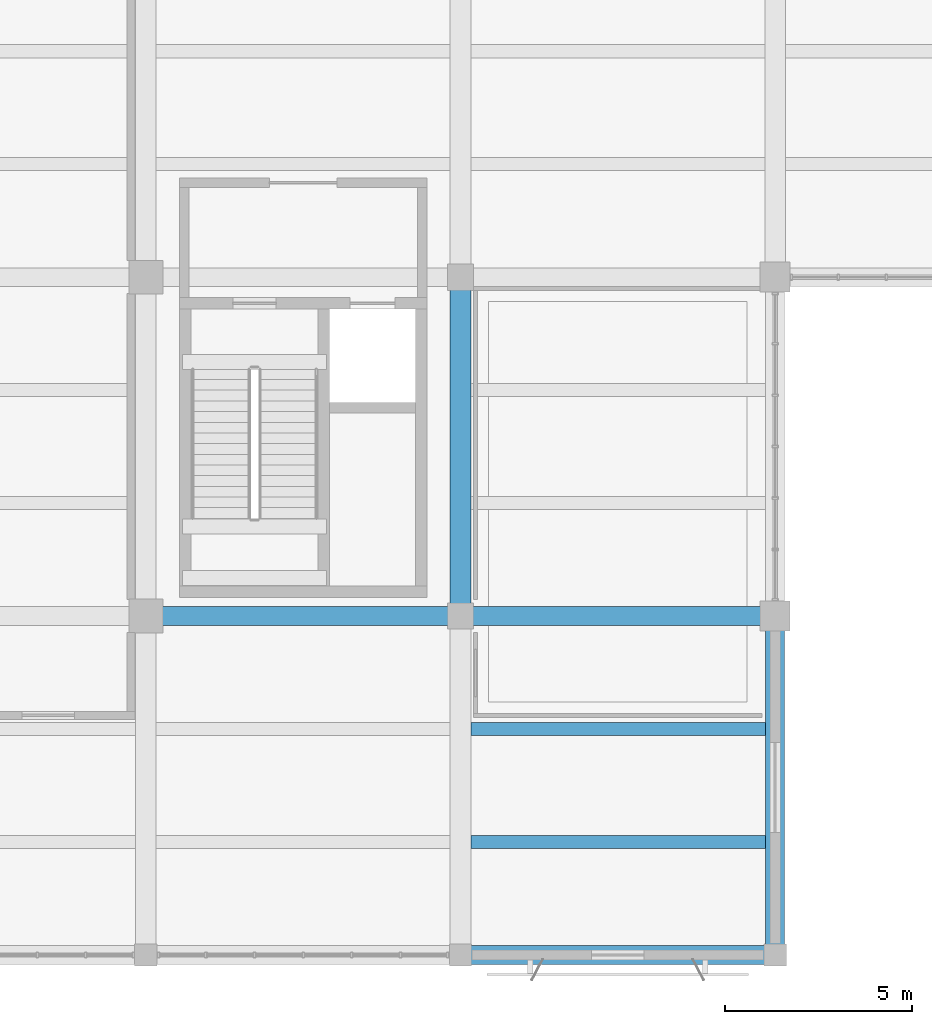
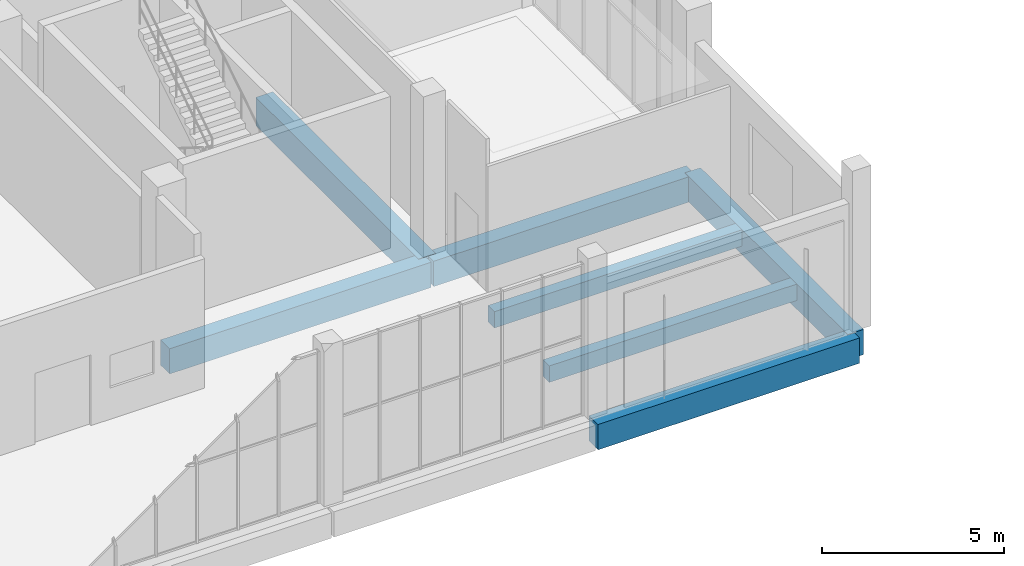
# One storey, part 33 of 132: 7 beams.
"""IFC4 building model written with IfcOpenShell, lengths in metres."""

from ifc_helpers import new_model, si_unit, direction, frame, origin, origin_2d, place, context, subcontext, project, spatial, rectangle, extrude, material, material_profile, profile_set, type_object, element, save


model = new_model("IFC4")

# Units and contexts
model_context = context("Model", 3, precision=1e-05, world=origin(), true_north=direction((0.0, 1.0)))
body_context = subcontext(model_context, "Body", "Model", "MODEL_VIEW")
ifc_project = project(units=[si_unit("LENGTHUNIT", "METRE"), si_unit("AREAUNIT", "SQUARE_METRE"), si_unit("VOLUMEUNIT", "CUBIC_METRE"), si_unit("PLANEANGLEUNIT", "RADIAN"), si_unit("MASSUNIT", "GRAM", prefix="KILO")], contexts=[model_context])

# Site, building, storey
site_placement = place(None, origin())
site = spatial("IfcSite", under=ifc_project, at=site_placement, CompositionType="ELEMENT")
building_placement = place(site_placement, origin())
building = spatial("IfcBuilding", under=site, at=building_placement, Name="Khurvash Pelagic Aquarium", CompositionType="ELEMENT")
storey_placement = place(building_placement, frame((0.0, 0.0, 5.39990234375)))
storey = spatial("IfcBuildingStorey", under=building, at=storey_placement, Name="L01", CompositionType="ELEMENT", Elevation=5.39990234375)

# Beams
ifc_material_1 = material(Name="Concrete C40/50", Category="concrete")
ifc_material_profile_1 = material_profile(ifc_material_1, rectangle(XDim=0.550048828125, YDim=0.949951171875, at=origin_2d()), Name="RC550X950")
ifc_profile_set_1 = profile_set([ifc_material_profile_1], Name="Concrete C40/50")
beam_type_1 = type_object("IfcBeamType", Name="BM-02", PredefinedType="BEAM", material=ifc_profile_set_1)
beam_1_placement = place(storey_placement, frame((100.800048828125, 11.68994140625, -0.784912109375), z_axis=(0.0, 1.0, 0.0), x_axis=(-1.0, 0.0, 0.0)))
element("IfcBeam", 1, at=beam_1_placement, inside=storey, type_object=beam_type_1, Name="L01 Primary Girder BM-02 00413", PredefinedType="BEAM", context=body_context, shape_type="SweptSolid", body=[
    extrude(rectangle(XDim=0.550048828125, YDim=0.949951171875, at=origin_2d()), origin(), (0.0, 0.0, 1.0), 8.969970703125),
])
ifc_material_profile_2 = material_profile(ifc_material_1, rectangle(XDim=0.5, YDim=0.85009765625, at=origin_2d()), Name="RC500X850")
ifc_profile_set_2 = profile_set([ifc_material_profile_2], Name="Concrete C40/50")
beam_type_2 = type_object("IfcBeamType", Name="BM-03", PredefinedType="BEAM", material=ifc_profile_set_2)
beam_2_placement = place(storey_placement, frame((92.43994140625, 11.64990234375, -0.744873046875), z_axis=(1.0, 0.0, 0.0), x_axis=(0.0, 1.0, 0.0)))
element("IfcBeam", 2, at=beam_2_placement, inside=storey, type_object=beam_type_2, Name="L01 Primary Girder BM-03 00259", PredefinedType="BEAM", context=body_context, shape_type="SweptSolid", body=[
    extrude(rectangle(XDim=0.5, YDim=0.85009765625, at=origin_2d()), origin(), (0.0, 0.0, 1.0), 8.320068359375),
])
beam_3_placement = place(storey_placement, frame((100.840087890625, 11.64990234375, -0.744873046875), z_axis=(1.0, 0.0, 0.0), x_axis=(0.0, 1.0, 0.0)))
element("IfcBeam", 3, at=beam_3_placement, inside=storey, type_object=beam_type_2, Name="L01 Primary Girder BM-03 00260", PredefinedType="BEAM", context=body_context, shape_type="SweptSolid", body=[
    extrude(rectangle(XDim=0.5, YDim=0.85009765625, at=origin_2d()), origin(), (0.0, 0.0, 1.0), 8.31982421875),
])
ifc_material_2 = material(Name="Concrete C35/45", Category="concrete")
ifc_material_profile_3 = material_profile(ifc_material_2, rectangle(XDim=0.35009765625, YDim=0.550048828125, at=origin_2d()), Name="RC350X550")
ifc_profile_set_3 = profile_set([ifc_material_profile_3], Name="Concrete C35/45")
beam_type_3 = type_object("IfcBeamType", Name="JS-01", PredefinedType="JOIST", material=ifc_profile_set_3)
for number, where, z_axis, x_axis, name in (
    (4, (101.074951171875, 5.616943359375, -0.5849609375), (1.0, 0.0, 0.0), (0.0, 1.0, 0.0), "L01 Floor Joist JS-01 00540"),
    (5, (101.074951171875, 8.633056640625, -0.5849609375), (1.0, 0.0, 0.0), (0.0, 1.0, 0.0), "L01 Floor Joist JS-01 00541"),
):
    element("IfcBeam", number, at=place(storey_placement, frame(where, z_axis=z_axis, x_axis=x_axis)), inside=storey, type_object=beam_type_3, Name=name, PredefinedType="JOIST", context=body_context, shape_type="SweptSolid", body=[
        extrude(rectangle(XDim=0.35009765625, YDim=0.550048828125, at=origin_2d()), origin(), (0.0, 0.0, 1.0), 7.875),
    ])
ifc_material_profile_4 = material_profile(ifc_material_1, rectangle(XDim=0.5, YDim=0.85009765625, at=origin_2d()), Name="RC500X850")
ifc_profile_set_4 = profile_set([ifc_material_profile_4], Name="Concrete C40/50")
beam_type_4 = type_object("IfcBeamType", Name="SEB-03", PredefinedType="SPANDREL", material=ifc_profile_set_4)
beam_4_placement = place(storey_placement, frame((100.840087890625, 2.60009765625, -0.744873046875), z_axis=(1.0, 0.0, 0.0), x_axis=(0.0, 1.0, 0.0)))
element("IfcBeam", 6, at=beam_4_placement, inside=storey, type_object=beam_type_4, Name="L01 Primary Girder SEB-03 00250", PredefinedType="SPANDREL", context=body_context, shape_type="SweptSolid", body=[
    extrude(rectangle(XDim=0.5, YDim=0.85009765625, at=origin_2d()), origin(), (0.0, 0.0, 1.0), 8.31982421875),
])
beam_5_placement = place(storey_placement, frame((109.199951171875, 2.639892578125, -0.73486328125), z_axis=(0.0, 1.0, 0.0), x_axis=(-1.0, 0.0, 0.0)))
element("IfcBeam", 7, at=beam_5_placement, inside=storey, type_object=beam_type_4, Name="L01 Primary Girder SEB-03 00418", PredefinedType="SPANDREL", context=body_context, shape_type="SweptSolid", body=[
    extrude(rectangle(XDim=0.5, YDim=0.85009765625, at=origin_2d()), origin(), (0.0, 0.0, 1.0), 8.97021484375),
])

save(model, "model.ifc")
